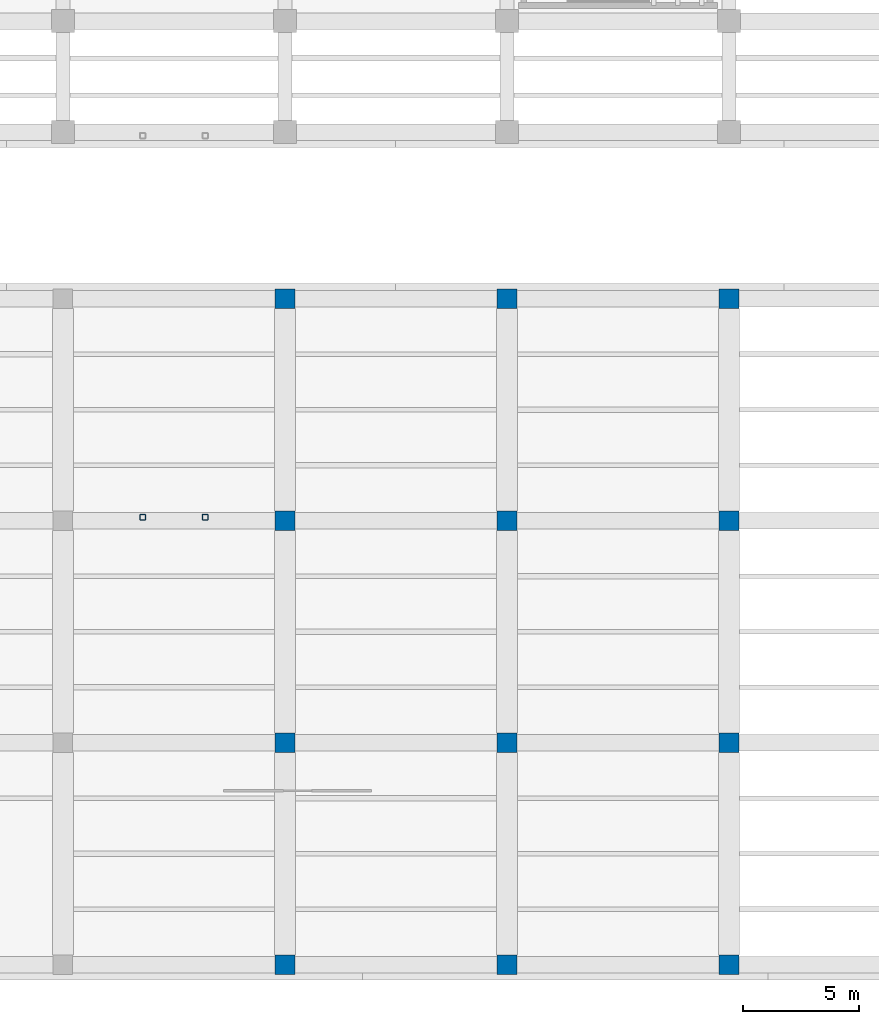
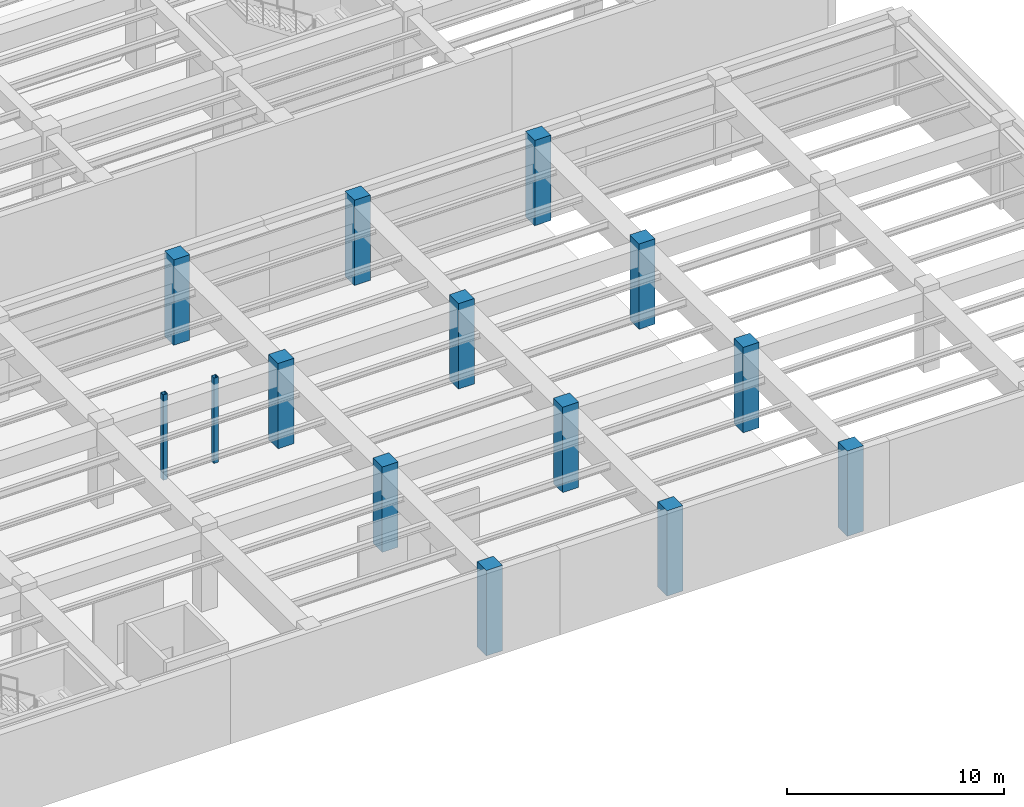
# One storey, part 11 of 45: 14 columns.
"""IFC4 building model written with IfcOpenShell, lengths in metres."""

from ifc_helpers import new_model, si_unit, direction, frame, origin, origin_2d, place, context, subcontext, project, spatial, rectangle, hollow_rectangle, extrude, material, material_profile, profile_set, type_object, element, save


model = new_model("IFC4")

# Units and contexts
model_context = context("Model", 3, precision=1e-05, world=origin(), true_north=direction((0.0, 1.0)))
body_context = subcontext(model_context, "Body", "Model", "MODEL_VIEW")
ifc_project = project(units=[si_unit("LENGTHUNIT", "METRE"), si_unit("AREAUNIT", "SQUARE_METRE"), si_unit("VOLUMEUNIT", "CUBIC_METRE"), si_unit("PLANEANGLEUNIT", "RADIAN"), si_unit("MASSUNIT", "GRAM", prefix="KILO")], contexts=[model_context])

# Site, building, storey
site_placement = place(None, origin())
site = spatial("IfcSite", under=ifc_project, at=site_placement, CompositionType="ELEMENT")
building_placement = place(site_placement, origin())
building = spatial("IfcBuilding", under=site, at=building_placement, Name="Mavantir Sound Aquarium", CompositionType="ELEMENT")
storey_placement = place(building_placement, frame((0.0, 0.0, -4.800048828125)))
storey = spatial("IfcBuildingStorey", under=building, at=storey_placement, Name="B1", CompositionType="ELEMENT", Elevation=-4.800048828125)

# Columns
ifc_material_1 = material(Name="Concrete C40/50", Category="concrete")
ifc_material_profile_1 = material_profile(ifc_material_1, rectangle(XDim=0.85009765625, YDim=0.85009765625, at=origin_2d()), Name="RC 850X850")
ifc_profile_set_1 = profile_set([ifc_material_profile_1], Name="Concrete C40/50")
column_type_1 = type_object("IfcColumnType", Name="COL-RC850-E", PredefinedType="COLUMN", material=ifc_profile_set_1)
for number, where, z_axis, x_axis, name in (
    (1, (136.800048828125, 0.0, 0.0), (0.0, 0.0, 1.0), (1.0, 0.0, 0.0), "B1 column RC-C85 (V6)"),
    (2, (146.39990234375, 0.0, 0.0), (0.0, 0.0, 1.0), (1.0, 0.0, 0.0), "B1 column RC-C85 (V6)"),
    (3, (156.0, 0.0, 0.0), (0.0, 0.0, 1.0), (1.0, 0.0, 0.0), "B1 column RC-C85 (V6)"),
):
    element("IfcColumn", number, at=place(storey_placement, frame(where, z_axis=z_axis, x_axis=x_axis)), inside=storey, type_object=column_type_1, Name=name, PredefinedType="COLUMN", context=body_context, shape_type="SweptSolid", body=[
        extrude(rectangle(XDim=0.85009765625, YDim=0.85009765625, at=origin_2d()), origin(), (0.0, 0.0, 1.0), 4.800048828125),
    ])
ifc_material_profile_2 = material_profile(ifc_material_1, rectangle(XDim=0.85009765625, YDim=0.85009765625, at=origin_2d()), Name="RC 850X850")
ifc_profile_set_2 = profile_set([ifc_material_profile_2], Name="Concrete C40/50")
column_type_2 = type_object("IfcColumnType", Name="COL-RC850-I", PredefinedType="COLUMN", material=ifc_profile_set_2)
for number, where, z_axis, x_axis, name in (
    (4, (136.800048828125, 9.60009765625, 0.0), (0.0, 0.0, 1.0), (1.0, 0.0, 0.0), "B1 column RC-C85 (V6)"),
    (5, (136.800048828125, 19.199951171875, 0.0), (0.0, 0.0, 1.0), (1.0, 0.0, 0.0), "B1 column RC-C85 (V6)"),
    (6, (136.800048828125, 28.800048828125, 0.0), (0.0, 0.0, 1.0), (1.0, 0.0, 0.0), "B1 column RC-C85 (V6)"),
    (7, (146.39990234375, 9.60009765625, 0.0), (0.0, 0.0, 1.0), (1.0, 0.0, 0.0), "B1 column RC-C85 (V6)"),
    (8, (146.39990234375, 19.199951171875, 0.0), (0.0, 0.0, 1.0), (1.0, 0.0, 0.0), "B1 column RC-C85 (V6)"),
    (9, (146.39990234375, 28.800048828125, 0.0), (0.0, 0.0, 1.0), (1.0, 0.0, 0.0), "B1 column RC-C85 (V6)"),
    (10, (156.0, 9.60009765625, 0.0), (0.0, 0.0, 1.0), (1.0, 0.0, 0.0), "B1 column RC-C85 (V6)"),
    (11, (156.0, 19.199951171875, 0.0), (0.0, 0.0, 1.0), (1.0, 0.0, 0.0), "B1 column RC-C85 (V6)"),
    (12, (156.0, 28.800048828125, 0.0), (0.0, 0.0, 1.0), (1.0, 0.0, 0.0), "B1 column RC-C85 (V6)"),
):
    element("IfcColumn", number, at=place(storey_placement, frame(where, z_axis=z_axis, x_axis=x_axis)), inside=storey, type_object=column_type_2, Name=name, PredefinedType="COLUMN", context=body_context, shape_type="SweptSolid", body=[
        extrude(rectangle(XDim=0.85009765625, YDim=0.85009765625, at=origin_2d()), origin(), (0.0, 0.0, 1.0), 4.800048828125),
    ])
ifc_material_2 = material(Name="Hollow Structural Steel ASTM A500 GrC", Category="steel")
ifc_material_profile_3 = material_profile(ifc_material_2, hollow_rectangle(XDim=0.25, YDim=0.25, WallThickness=0.012451171875, InnerFilletRadius=0.012451171875, OuterFilletRadius=0.02490234375, at=origin_2d()), Name="SHS 250X250X12.5")
ifc_profile_set_3 = profile_set([ifc_material_profile_3], Name="Hollow Structural Steel ASTM A500 GrC")
column_type_3 = type_object("IfcColumnType", Name="COL-SHS250-E", PredefinedType="COLUMN", material=ifc_profile_set_3)
for number, where, z_axis, x_axis, name in (
    (13, (130.64990234375, 19.35009765625, 0.0), (0.0, 0.0, 1.0), (1.0, 0.0, 0.0), "Bridge support column 4.1 (B1)"),
    (14, (133.35009765625, 19.35009765625, 0.0), (0.0, 0.0, 1.0), (1.0, 0.0, 0.0), "Bridge support column 4.3 (B1)"),
):
    element("IfcColumn", number, at=place(storey_placement, frame(where, z_axis=z_axis, x_axis=x_axis)), inside=storey, type_object=column_type_3, Name=name, PredefinedType="COLUMN", context=body_context, shape_type="SweptSolid", body=[
        extrude(hollow_rectangle(XDim=0.25, YDim=0.25, WallThickness=0.012451171875, InnerFilletRadius=0.012451171875, OuterFilletRadius=0.02490234375, at=origin_2d()), origin(), (0.0, 0.0, 1.0), 4.800048828125),
    ])

save(model, "model.ifc")
